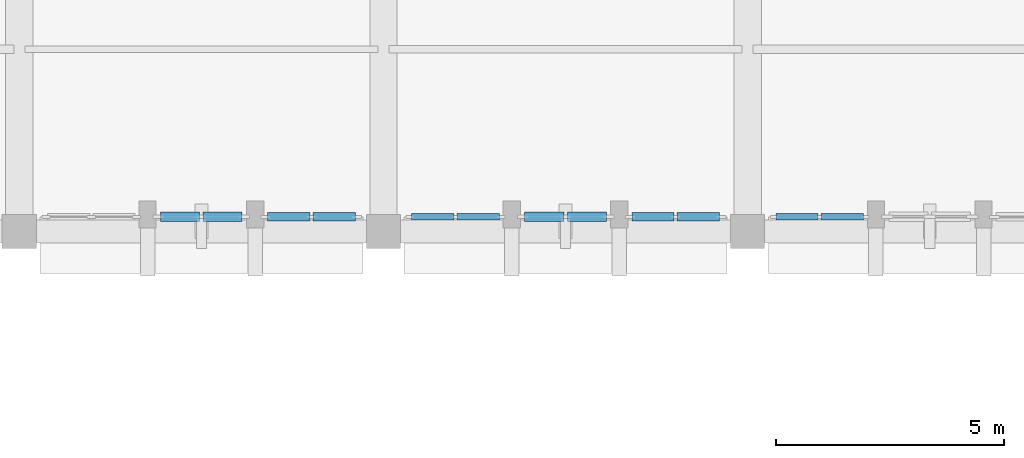
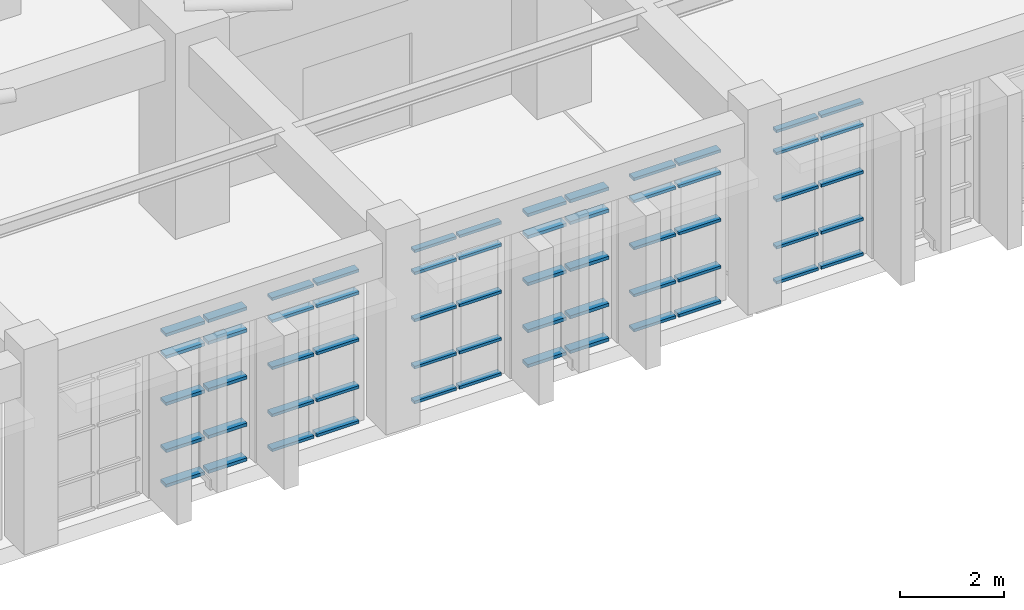
# One storey, part 59 of 155: 60 members, 6 elements without a shape of their own.
"""IFC4 building model written with IfcOpenShell, lengths in metres."""

from ifc_helpers import new_model, si_unit, direction, frame, origin, origin_2d, place, context, subcontext, project, spatial, rectangle, extrude, material, layer, layer_set, material_profile, profile_set, type_object, element, aggregate, save


model = new_model("IFC4")

# Units and contexts
model_context = context("Model", 3, precision=1e-05, world=origin(), true_north=direction((0.0, 1.0)))
body_context = subcontext(model_context, "Body", "Model", "MODEL_VIEW")
ifc_project = project(units=[si_unit("LENGTHUNIT", "METRE"), si_unit("AREAUNIT", "SQUARE_METRE"), si_unit("VOLUMEUNIT", "CUBIC_METRE"), si_unit("PLANEANGLEUNIT", "RADIAN"), si_unit("MASSUNIT", "GRAM", prefix="KILO")], contexts=[model_context])

# Site, building, storey
site_placement = place(None, origin())
site = spatial("IfcSite", under=ifc_project, at=site_placement, CompositionType="ELEMENT")
building_placement = place(site_placement, origin())
building = spatial("IfcBuilding", under=site, at=building_placement, Name="Tazarka Park Arena", CompositionType="ELEMENT")
storey_placement = place(building_placement, frame((0.0, 0.0, 5.39990234375)))
storey = spatial("IfcBuildingStorey", under=building, at=storey_placement, Name="L01", CompositionType="ELEMENT", Elevation=5.39990234375)

# Curtain wall, members
ifc_material_1 = material(Name="Aluminium and low-e glass", Category="aluminium")
ifc_layer_1 = layer(ifc_material_1, 0.179931640625, Name="Aluminium and low-e glass")
ifc_layer_set_1 = layer_set([ifc_layer_1], Name="Aluminium and low-e glass")
curtain_wall_type_1 = type_object("IfcCurtainWallType", Name="CW-15", PredefinedType="NOTDEFINED", material=ifc_layer_set_1)
curtain_wall_1_placement = place(storey_placement, origin())
curtain_wall_1 = element("IfcCurtainWall", 1, at=curtain_wall_1_placement, inside=storey, type_object=curtain_wall_type_1, Name="Curtain Wall CWA-L01-015", PredefinedType="NOTDEFINED")
ifc_material_2 = material(Name="Aluminium 6060-T66", Category="aluminium")
ifc_material_profile_1 = material_profile(ifc_material_2, rectangle(XDim=0.139892578125, YDim=0.06494140625, at=origin_2d()), Name="Aluminium 6060-T66")
ifc_profile_set_1 = profile_set([ifc_material_profile_1], Name="Aluminium 6060-T66")
member_type_1 = type_object("IfcMemberType", Name="CWT-01", PredefinedType="USERDEFINED", material=ifc_profile_set_1)
member_1_placement = place(storey_placement, frame((82.543212890625, 8.320068359375, 0.03271484375), z_axis=(-1.0, 0.0, 0.0), x_axis=(0.0, -1.0, 0.0)))
member_1 = element("IfcMember", 2, at=member_1_placement, type_object=member_type_1, Name="CW-15 transom 1.1", ObjectType="TRANSOM", PredefinedType="USERDEFINED", context=body_context, shape_type="SweptSolid", body=[
    extrude(rectangle(XDim=0.139892578125, YDim=0.06494140625, at=origin_2d()), origin(), (0.0, 0.0, 1.0), 0.928955078125),
])
member_2_placement = place(storey_placement, frame((82.543212890625, 8.320068359375, 0.85009765625), z_axis=(-1.0, 0.0, 0.0), x_axis=(0.0, -1.0, 0.0)))
member_2 = element("IfcMember", 3, at=member_2_placement, type_object=member_type_1, Name="CW-15 transom 1.2", ObjectType="TRANSOM", PredefinedType="USERDEFINED", context=body_context, shape_type="SweptSolid", body=[
    extrude(rectangle(XDim=0.139892578125, YDim=0.06494140625, at=origin_2d()), origin(), (0.0, 0.0, 1.0), 0.928955078125),
])
member_3_placement = place(storey_placement, frame((82.543212890625, 8.320068359375, 1.9501953125), z_axis=(-1.0, 0.0, 0.0), x_axis=(0.0, -1.0, 0.0)))
member_3 = element("IfcMember", 4, at=member_3_placement, type_object=member_type_1, Name="CW-15 transom 1.3", ObjectType="TRANSOM", PredefinedType="USERDEFINED", context=body_context, shape_type="SweptSolid", body=[
    extrude(rectangle(XDim=0.139892578125, YDim=0.06494140625, at=origin_2d()), origin(), (0.0, 0.0, 1.0), 0.928955078125),
])
member_4_placement = place(storey_placement, frame((82.543212890625, 8.320068359375, 3.050048828125), z_axis=(-1.0, 0.0, 0.0), x_axis=(0.0, -1.0, 0.0)))
member_4 = element("IfcMember", 5, at=member_4_placement, type_object=member_type_1, Name="CW-15 transom 1.4", ObjectType="TRANSOM", PredefinedType="USERDEFINED", context=body_context, shape_type="SweptSolid", body=[
    extrude(rectangle(XDim=0.139892578125, YDim=0.06494140625, at=origin_2d()), origin(), (0.0, 0.0, 1.0), 0.928955078125),
])
member_5_placement = place(storey_placement, frame((82.543212890625, 8.320068359375, 3.567626953125), z_axis=(-1.0, 0.0, 0.0), x_axis=(0.0, -1.0, 0.0)))
member_5 = element("IfcMember", 6, at=member_5_placement, type_object=member_type_1, Name="CW-15 transom 1.5", ObjectType="TRANSOM", PredefinedType="USERDEFINED", context=body_context, shape_type="SweptSolid", body=[
    extrude(rectangle(XDim=0.139892578125, YDim=0.06494140625, at=origin_2d()), origin(), (0.0, 0.0, 1.0), 0.928955078125),
])
member_6_placement = place(storey_placement, frame((81.549072265625, 8.320068359375, 0.03271484375), z_axis=(-1.0, 0.0, 0.0), x_axis=(0.0, -1.0, 0.0)))
member_6 = element("IfcMember", 7, at=member_6_placement, type_object=member_type_1, Name="CW-15 transom 2.1", ObjectType="TRANSOM", PredefinedType="USERDEFINED", context=body_context, shape_type="SweptSolid", body=[
    extrude(rectangle(XDim=0.139892578125, YDim=0.06494140625, at=origin_2d()), origin(), (0.0, 0.0, 1.0), 0.928955078125),
])
member_7_placement = place(storey_placement, frame((81.549072265625, 8.320068359375, 0.85009765625), z_axis=(-1.0, 0.0, 0.0), x_axis=(0.0, -1.0, 0.0)))
member_7 = element("IfcMember", 8, at=member_7_placement, type_object=member_type_1, Name="CW-15 transom 2.2", ObjectType="TRANSOM", PredefinedType="USERDEFINED", context=body_context, shape_type="SweptSolid", body=[
    extrude(rectangle(XDim=0.139892578125, YDim=0.06494140625, at=origin_2d()), origin(), (0.0, 0.0, 1.0), 0.928955078125),
])
member_8_placement = place(storey_placement, frame((81.549072265625, 8.320068359375, 1.9501953125), z_axis=(-1.0, 0.0, 0.0), x_axis=(0.0, -1.0, 0.0)))
member_8 = element("IfcMember", 9, at=member_8_placement, type_object=member_type_1, Name="CW-15 transom 2.3", ObjectType="TRANSOM", PredefinedType="USERDEFINED", context=body_context, shape_type="SweptSolid", body=[
    extrude(rectangle(XDim=0.139892578125, YDim=0.06494140625, at=origin_2d()), origin(), (0.0, 0.0, 1.0), 0.928955078125),
])
member_9_placement = place(storey_placement, frame((81.549072265625, 8.320068359375, 3.050048828125), z_axis=(-1.0, 0.0, 0.0), x_axis=(0.0, -1.0, 0.0)))
member_9 = element("IfcMember", 10, at=member_9_placement, type_object=member_type_1, Name="CW-15 transom 2.4", ObjectType="TRANSOM", PredefinedType="USERDEFINED", context=body_context, shape_type="SweptSolid", body=[
    extrude(rectangle(XDim=0.139892578125, YDim=0.06494140625, at=origin_2d()), origin(), (0.0, 0.0, 1.0), 0.928955078125),
])
member_10_placement = place(storey_placement, frame((81.549072265625, 8.320068359375, 3.567626953125), z_axis=(-1.0, 0.0, 0.0), x_axis=(0.0, -1.0, 0.0)))
member_10 = element("IfcMember", 11, at=member_10_placement, type_object=member_type_1, Name="CW-15 transom 2.5", ObjectType="TRANSOM", PredefinedType="USERDEFINED", context=body_context, shape_type="SweptSolid", body=[
    extrude(rectangle(XDim=0.139892578125, YDim=0.06494140625, at=origin_2d()), origin(), (0.0, 0.0, 1.0), 0.928955078125),
])
aggregate(curtain_wall_1, [member_1, member_2, member_3, member_4, member_5, member_6, member_7, member_8, member_9, member_10])

ifc_material_3 = material(Name="Aluminium and low-e glass", Category="aluminium")
ifc_layer_2 = layer(ifc_material_3, 0.179931640625, Name="Aluminium and low-e glass")
ifc_layer_set_2 = layer_set([ifc_layer_2], Name="Aluminium and low-e glass")
curtain_wall_type_2 = type_object("IfcCurtainWallType", Name="CW-18", PredefinedType="NOTDEFINED", material=ifc_layer_set_2)
curtain_wall_2_placement = place(storey_placement, origin())
curtain_wall_2 = element("IfcCurtainWall", 12, at=curtain_wall_2_placement, inside=storey, type_object=curtain_wall_type_2, Name="Curtain Wall CWA-L01-018", PredefinedType="NOTDEFINED")
member_11_placement = place(storey_placement, frame((90.543212890625, 8.320068359375, 0.03271484375), z_axis=(-1.0, 0.0, 0.0), x_axis=(0.0, -1.0, 0.0)))
member_11 = element("IfcMember", 13, at=member_11_placement, type_object=member_type_1, Name="CW-18 transom 1.1", ObjectType="TRANSOM", PredefinedType="USERDEFINED", context=body_context, shape_type="SweptSolid", body=[
    extrude(rectangle(XDim=0.139892578125, YDim=0.06494140625, at=origin_2d()), origin(), (0.0, 0.0, 1.0), 0.928955078125),
])
member_12_placement = place(storey_placement, frame((90.543212890625, 8.320068359375, 0.85009765625), z_axis=(-1.0, 0.0, 0.0), x_axis=(0.0, -1.0, 0.0)))
member_12 = element("IfcMember", 14, at=member_12_placement, type_object=member_type_1, Name="CW-18 transom 1.2", ObjectType="TRANSOM", PredefinedType="USERDEFINED", context=body_context, shape_type="SweptSolid", body=[
    extrude(rectangle(XDim=0.139892578125, YDim=0.06494140625, at=origin_2d()), origin(), (0.0, 0.0, 1.0), 0.928955078125),
])
member_13_placement = place(storey_placement, frame((90.543212890625, 8.320068359375, 1.9501953125), z_axis=(-1.0, 0.0, 0.0), x_axis=(0.0, -1.0, 0.0)))
member_13 = element("IfcMember", 15, at=member_13_placement, type_object=member_type_1, Name="CW-18 transom 1.3", ObjectType="TRANSOM", PredefinedType="USERDEFINED", context=body_context, shape_type="SweptSolid", body=[
    extrude(rectangle(XDim=0.139892578125, YDim=0.06494140625, at=origin_2d()), origin(), (0.0, 0.0, 1.0), 0.928955078125),
])
member_14_placement = place(storey_placement, frame((90.543212890625, 8.320068359375, 3.050048828125), z_axis=(-1.0, 0.0, 0.0), x_axis=(0.0, -1.0, 0.0)))
member_14 = element("IfcMember", 16, at=member_14_placement, type_object=member_type_1, Name="CW-18 transom 1.4", ObjectType="TRANSOM", PredefinedType="USERDEFINED", context=body_context, shape_type="SweptSolid", body=[
    extrude(rectangle(XDim=0.139892578125, YDim=0.06494140625, at=origin_2d()), origin(), (0.0, 0.0, 1.0), 0.928955078125),
])
member_15_placement = place(storey_placement, frame((90.543212890625, 8.320068359375, 3.567626953125), z_axis=(-1.0, 0.0, 0.0), x_axis=(0.0, -1.0, 0.0)))
member_15 = element("IfcMember", 17, at=member_15_placement, type_object=member_type_1, Name="CW-18 transom 1.5", ObjectType="TRANSOM", PredefinedType="USERDEFINED", context=body_context, shape_type="SweptSolid", body=[
    extrude(rectangle(XDim=0.139892578125, YDim=0.06494140625, at=origin_2d()), origin(), (0.0, 0.0, 1.0), 0.928955078125),
])
member_16_placement = place(storey_placement, frame((89.549072265625, 8.320068359375, 0.03271484375), z_axis=(-1.0, 0.0, 0.0), x_axis=(0.0, -1.0, 0.0)))
member_16 = element("IfcMember", 18, at=member_16_placement, type_object=member_type_1, Name="CW-18 transom 2.1", ObjectType="TRANSOM", PredefinedType="USERDEFINED", context=body_context, shape_type="SweptSolid", body=[
    extrude(rectangle(XDim=0.139892578125, YDim=0.06494140625, at=origin_2d()), origin(), (0.0, 0.0, 1.0), 0.928955078125),
])
member_17_placement = place(storey_placement, frame((89.549072265625, 8.320068359375, 0.85009765625), z_axis=(-1.0, 0.0, 0.0), x_axis=(0.0, -1.0, 0.0)))
member_17 = element("IfcMember", 19, at=member_17_placement, type_object=member_type_1, Name="CW-18 transom 2.2", ObjectType="TRANSOM", PredefinedType="USERDEFINED", context=body_context, shape_type="SweptSolid", body=[
    extrude(rectangle(XDim=0.139892578125, YDim=0.06494140625, at=origin_2d()), origin(), (0.0, 0.0, 1.0), 0.928955078125),
])
member_18_placement = place(storey_placement, frame((89.549072265625, 8.320068359375, 1.9501953125), z_axis=(-1.0, 0.0, 0.0), x_axis=(0.0, -1.0, 0.0)))
member_18 = element("IfcMember", 20, at=member_18_placement, type_object=member_type_1, Name="CW-18 transom 2.3", ObjectType="TRANSOM", PredefinedType="USERDEFINED", context=body_context, shape_type="SweptSolid", body=[
    extrude(rectangle(XDim=0.139892578125, YDim=0.06494140625, at=origin_2d()), origin(), (0.0, 0.0, 1.0), 0.928955078125),
])
member_19_placement = place(storey_placement, frame((89.549072265625, 8.320068359375, 3.050048828125), z_axis=(-1.0, 0.0, 0.0), x_axis=(0.0, -1.0, 0.0)))
member_19 = element("IfcMember", 21, at=member_19_placement, type_object=member_type_1, Name="CW-18 transom 2.4", ObjectType="TRANSOM", PredefinedType="USERDEFINED", context=body_context, shape_type="SweptSolid", body=[
    extrude(rectangle(XDim=0.139892578125, YDim=0.06494140625, at=origin_2d()), origin(), (0.0, 0.0, 1.0), 0.928955078125),
])
member_20_placement = place(storey_placement, frame((89.549072265625, 8.320068359375, 3.567626953125), z_axis=(-1.0, 0.0, 0.0), x_axis=(0.0, -1.0, 0.0)))
member_20 = element("IfcMember", 22, at=member_20_placement, type_object=member_type_1, Name="CW-18 transom 2.5", ObjectType="TRANSOM", PredefinedType="USERDEFINED", context=body_context, shape_type="SweptSolid", body=[
    extrude(rectangle(XDim=0.139892578125, YDim=0.06494140625, at=origin_2d()), origin(), (0.0, 0.0, 1.0), 0.928955078125),
])
aggregate(curtain_wall_2, [member_11, member_12, member_13, member_14, member_15, member_16, member_17, member_18, member_19, member_20])

ifc_material_4 = material(Name="Aluminium and low-e glass", Category="aluminium")
ifc_layer_3 = layer(ifc_material_4, 0.179931640625, Name="Aluminium and low-e glass")
ifc_layer_set_3 = layer_set([ifc_layer_3], Name="Aluminium and low-e glass")
curtain_wall_type_3 = type_object("IfcCurtainWallType", Name="CW-10", PredefinedType="NOTDEFINED", material=ifc_layer_set_3)
curtain_wall_3_placement = place(storey_placement, origin())
curtain_wall_3 = element("IfcCurtainWall", 23, at=curtain_wall_3_placement, inside=storey, type_object=curtain_wall_type_3, Name="Curtain Wall CWA-L01-010", PredefinedType="NOTDEFINED")
ifc_material_5 = material(Name="Aluminium 6060-T66", Category="aluminium")
ifc_material_profile_2 = material_profile(ifc_material_5, rectangle(XDim=0.179931640625, YDim=0.06494140625, at=origin_2d()), Name="Aluminium 6060-T66")
ifc_profile_set_2 = profile_set([ifc_material_profile_2], Name="Aluminium 6060-T66")
member_type_2 = type_object("IfcMemberType", Name="CWT-02", PredefinedType="USERDEFINED", material=ifc_profile_set_2)
member_21_placement = place(storey_placement, frame((79.3798828125, 8.320068359375, 0.03271484375), z_axis=(-1.0, 0.0, 0.0), x_axis=(0.0, -1.0, 0.0)))
member_21 = element("IfcMember", 24, at=member_21_placement, type_object=member_type_2, Name="CW-10 transom 1.1", ObjectType="TRANSOM", PredefinedType="USERDEFINED", context=body_context, shape_type="SweptSolid", body=[
    extrude(rectangle(XDim=0.179931640625, YDim=0.06494140625, at=origin_2d()), origin(), (0.0, 0.0, 1.0), 0.928955078125),
])
member_22_placement = place(storey_placement, frame((79.3798828125, 8.320068359375, 0.85009765625), z_axis=(-1.0, 0.0, 0.0), x_axis=(0.0, -1.0, 0.0)))
member_22 = element("IfcMember", 25, at=member_22_placement, type_object=member_type_2, Name="CW-10 transom 1.2", ObjectType="TRANSOM", PredefinedType="USERDEFINED", context=body_context, shape_type="SweptSolid", body=[
    extrude(rectangle(XDim=0.179931640625, YDim=0.06494140625, at=origin_2d()), origin(), (0.0, 0.0, 1.0), 0.928955078125),
])
member_23_placement = place(storey_placement, frame((79.3798828125, 8.320068359375, 1.9501953125), z_axis=(-1.0, 0.0, 0.0), x_axis=(0.0, -1.0, 0.0)))
member_23 = element("IfcMember", 26, at=member_23_placement, type_object=member_type_2, Name="CW-10 transom 1.3", ObjectType="TRANSOM", PredefinedType="USERDEFINED", context=body_context, shape_type="SweptSolid", body=[
    extrude(rectangle(XDim=0.179931640625, YDim=0.06494140625, at=origin_2d()), origin(), (0.0, 0.0, 1.0), 0.928955078125),
])
member_24_placement = place(storey_placement, frame((79.3798828125, 8.320068359375, 3.050048828125), z_axis=(-1.0, 0.0, 0.0), x_axis=(0.0, -1.0, 0.0)))
member_24 = element("IfcMember", 27, at=member_24_placement, type_object=member_type_2, Name="CW-10 transom 1.4", ObjectType="TRANSOM", PredefinedType="USERDEFINED", context=body_context, shape_type="SweptSolid", body=[
    extrude(rectangle(XDim=0.179931640625, YDim=0.06494140625, at=origin_2d()), origin(), (0.0, 0.0, 1.0), 0.928955078125),
])
member_25_placement = place(storey_placement, frame((79.3798828125, 8.320068359375, 3.567626953125), z_axis=(-1.0, 0.0, 0.0), x_axis=(0.0, -1.0, 0.0)))
member_25 = element("IfcMember", 28, at=member_25_placement, type_object=member_type_2, Name="CW-10 transom 1.5", ObjectType="TRANSOM", PredefinedType="USERDEFINED", context=body_context, shape_type="SweptSolid", body=[
    extrude(rectangle(XDim=0.179931640625, YDim=0.06494140625, at=origin_2d()), origin(), (0.0, 0.0, 1.0), 0.928955078125),
])
member_26_placement = place(storey_placement, frame((78.3857421875, 8.320068359375, 0.03271484375), z_axis=(-1.0, 0.0, 0.0), x_axis=(0.0, -1.0, 0.0)))
member_26 = element("IfcMember", 29, at=member_26_placement, type_object=member_type_2, Name="CW-10 transom 2.1", ObjectType="TRANSOM", PredefinedType="USERDEFINED", context=body_context, shape_type="SweptSolid", body=[
    extrude(rectangle(XDim=0.179931640625, YDim=0.06494140625, at=origin_2d()), origin(), (0.0, 0.0, 1.0), 0.928955078125),
])
member_27_placement = place(storey_placement, frame((78.3857421875, 8.320068359375, 0.85009765625), z_axis=(-1.0, 0.0, 0.0), x_axis=(0.0, -1.0, 0.0)))
member_27 = element("IfcMember", 30, at=member_27_placement, type_object=member_type_2, Name="CW-10 transom 2.2", ObjectType="TRANSOM", PredefinedType="USERDEFINED", context=body_context, shape_type="SweptSolid", body=[
    extrude(rectangle(XDim=0.179931640625, YDim=0.06494140625, at=origin_2d()), origin(), (0.0, 0.0, 1.0), 0.928955078125),
])
member_28_placement = place(storey_placement, frame((78.3857421875, 8.320068359375, 1.9501953125), z_axis=(-1.0, 0.0, 0.0), x_axis=(0.0, -1.0, 0.0)))
member_28 = element("IfcMember", 31, at=member_28_placement, type_object=member_type_2, Name="CW-10 transom 2.3", ObjectType="TRANSOM", PredefinedType="USERDEFINED", context=body_context, shape_type="SweptSolid", body=[
    extrude(rectangle(XDim=0.179931640625, YDim=0.06494140625, at=origin_2d()), origin(), (0.0, 0.0, 1.0), 0.928955078125),
])
member_29_placement = place(storey_placement, frame((78.3857421875, 8.320068359375, 3.050048828125), z_axis=(-1.0, 0.0, 0.0), x_axis=(0.0, -1.0, 0.0)))
member_29 = element("IfcMember", 32, at=member_29_placement, type_object=member_type_2, Name="CW-10 transom 2.4", ObjectType="TRANSOM", PredefinedType="USERDEFINED", context=body_context, shape_type="SweptSolid", body=[
    extrude(rectangle(XDim=0.179931640625, YDim=0.06494140625, at=origin_2d()), origin(), (0.0, 0.0, 1.0), 0.928955078125),
])
member_30_placement = place(storey_placement, frame((78.3857421875, 8.320068359375, 3.567626953125), z_axis=(-1.0, 0.0, 0.0), x_axis=(0.0, -1.0, 0.0)))
member_30 = element("IfcMember", 33, at=member_30_placement, type_object=member_type_2, Name="CW-10 transom 2.5", ObjectType="TRANSOM", PredefinedType="USERDEFINED", context=body_context, shape_type="SweptSolid", body=[
    extrude(rectangle(XDim=0.179931640625, YDim=0.06494140625, at=origin_2d()), origin(), (0.0, 0.0, 1.0), 0.928955078125),
])
aggregate(curtain_wall_3, [member_21, member_22, member_23, member_24, member_25, member_26, member_27, member_28, member_29, member_30])

ifc_material_6 = material(Name="Aluminium and low-e glass", Category="aluminium")
ifc_layer_4 = layer(ifc_material_6, 0.179931640625, Name="Aluminium and low-e glass")
ifc_layer_set_4 = layer_set([ifc_layer_4], Name="Aluminium and low-e glass")
curtain_wall_type_4 = type_object("IfcCurtainWallType", Name="CW-13", PredefinedType="NOTDEFINED", material=ifc_layer_set_4)
curtain_wall_4_placement = place(storey_placement, origin())
curtain_wall_4 = element("IfcCurtainWall", 34, at=curtain_wall_4_placement, inside=storey, type_object=curtain_wall_type_4, Name="Curtain Wall CWA-L01-013", PredefinedType="NOTDEFINED")
member_31_placement = place(storey_placement, frame((87.3798828125, 8.320068359375, 0.03271484375), z_axis=(-1.0, 0.0, 0.0), x_axis=(0.0, -1.0, 0.0)))
member_31 = element("IfcMember", 35, at=member_31_placement, type_object=member_type_2, Name="CW-13 transom 1.1", ObjectType="TRANSOM", PredefinedType="USERDEFINED", context=body_context, shape_type="SweptSolid", body=[
    extrude(rectangle(XDim=0.179931640625, YDim=0.06494140625, at=origin_2d()), origin(), (0.0, 0.0, 1.0), 0.928955078125),
])
member_32_placement = place(storey_placement, frame((87.3798828125, 8.320068359375, 0.85009765625), z_axis=(-1.0, 0.0, 0.0), x_axis=(0.0, -1.0, 0.0)))
member_32 = element("IfcMember", 36, at=member_32_placement, type_object=member_type_2, Name="CW-13 transom 1.2", ObjectType="TRANSOM", PredefinedType="USERDEFINED", context=body_context, shape_type="SweptSolid", body=[
    extrude(rectangle(XDim=0.179931640625, YDim=0.06494140625, at=origin_2d()), origin(), (0.0, 0.0, 1.0), 0.928955078125),
])
member_33_placement = place(storey_placement, frame((87.3798828125, 8.320068359375, 1.9501953125), z_axis=(-1.0, 0.0, 0.0), x_axis=(0.0, -1.0, 0.0)))
member_33 = element("IfcMember", 37, at=member_33_placement, type_object=member_type_2, Name="CW-13 transom 1.3", ObjectType="TRANSOM", PredefinedType="USERDEFINED", context=body_context, shape_type="SweptSolid", body=[
    extrude(rectangle(XDim=0.179931640625, YDim=0.06494140625, at=origin_2d()), origin(), (0.0, 0.0, 1.0), 0.928955078125),
])
member_34_placement = place(storey_placement, frame((87.3798828125, 8.320068359375, 3.050048828125), z_axis=(-1.0, 0.0, 0.0), x_axis=(0.0, -1.0, 0.0)))
member_34 = element("IfcMember", 38, at=member_34_placement, type_object=member_type_2, Name="CW-13 transom 1.4", ObjectType="TRANSOM", PredefinedType="USERDEFINED", context=body_context, shape_type="SweptSolid", body=[
    extrude(rectangle(XDim=0.179931640625, YDim=0.06494140625, at=origin_2d()), origin(), (0.0, 0.0, 1.0), 0.928955078125),
])
member_35_placement = place(storey_placement, frame((87.3798828125, 8.320068359375, 3.567626953125), z_axis=(-1.0, 0.0, 0.0), x_axis=(0.0, -1.0, 0.0)))
member_35 = element("IfcMember", 39, at=member_35_placement, type_object=member_type_2, Name="CW-13 transom 1.5", ObjectType="TRANSOM", PredefinedType="USERDEFINED", context=body_context, shape_type="SweptSolid", body=[
    extrude(rectangle(XDim=0.179931640625, YDim=0.06494140625, at=origin_2d()), origin(), (0.0, 0.0, 1.0), 0.928955078125),
])
member_36_placement = place(storey_placement, frame((86.3857421875, 8.320068359375, 0.03271484375), z_axis=(-1.0, 0.0, 0.0), x_axis=(0.0, -1.0, 0.0)))
member_36 = element("IfcMember", 40, at=member_36_placement, type_object=member_type_2, Name="CW-13 transom 2.1", ObjectType="TRANSOM", PredefinedType="USERDEFINED", context=body_context, shape_type="SweptSolid", body=[
    extrude(rectangle(XDim=0.179931640625, YDim=0.06494140625, at=origin_2d()), origin(), (0.0, 0.0, 1.0), 0.928955078125),
])
member_37_placement = place(storey_placement, frame((86.3857421875, 8.320068359375, 0.85009765625), z_axis=(-1.0, 0.0, 0.0), x_axis=(0.0, -1.0, 0.0)))
member_37 = element("IfcMember", 41, at=member_37_placement, type_object=member_type_2, Name="CW-13 transom 2.2", ObjectType="TRANSOM", PredefinedType="USERDEFINED", context=body_context, shape_type="SweptSolid", body=[
    extrude(rectangle(XDim=0.179931640625, YDim=0.06494140625, at=origin_2d()), origin(), (0.0, 0.0, 1.0), 0.928955078125),
])
member_38_placement = place(storey_placement, frame((86.3857421875, 8.320068359375, 1.9501953125), z_axis=(-1.0, 0.0, 0.0), x_axis=(0.0, -1.0, 0.0)))
member_38 = element("IfcMember", 42, at=member_38_placement, type_object=member_type_2, Name="CW-13 transom 2.3", ObjectType="TRANSOM", PredefinedType="USERDEFINED", context=body_context, shape_type="SweptSolid", body=[
    extrude(rectangle(XDim=0.179931640625, YDim=0.06494140625, at=origin_2d()), origin(), (0.0, 0.0, 1.0), 0.928955078125),
])
member_39_placement = place(storey_placement, frame((86.3857421875, 8.320068359375, 3.050048828125), z_axis=(-1.0, 0.0, 0.0), x_axis=(0.0, -1.0, 0.0)))
member_39 = element("IfcMember", 43, at=member_39_placement, type_object=member_type_2, Name="CW-13 transom 2.4", ObjectType="TRANSOM", PredefinedType="USERDEFINED", context=body_context, shape_type="SweptSolid", body=[
    extrude(rectangle(XDim=0.179931640625, YDim=0.06494140625, at=origin_2d()), origin(), (0.0, 0.0, 1.0), 0.928955078125),
])
member_40_placement = place(storey_placement, frame((86.3857421875, 8.320068359375, 3.567626953125), z_axis=(-1.0, 0.0, 0.0), x_axis=(0.0, -1.0, 0.0)))
member_40 = element("IfcMember", 44, at=member_40_placement, type_object=member_type_2, Name="CW-13 transom 2.5", ObjectType="TRANSOM", PredefinedType="USERDEFINED", context=body_context, shape_type="SweptSolid", body=[
    extrude(rectangle(XDim=0.179931640625, YDim=0.06494140625, at=origin_2d()), origin(), (0.0, 0.0, 1.0), 0.928955078125),
])
aggregate(curtain_wall_4, [member_31, member_32, member_33, member_34, member_35, member_36, member_37, member_38, member_39, member_40])

ifc_material_7 = material(Name="Aluminium and low-e glass", Category="aluminium")
ifc_layer_5 = layer(ifc_material_7, 0.179931640625, Name="Aluminium and low-e glass")
ifc_layer_set_5 = layer_set([ifc_layer_5], Name="Aluminium and low-e glass")
curtain_wall_type_5 = type_object("IfcCurtainWallType", Name="CW-11", PredefinedType="NOTDEFINED", material=ifc_layer_set_5)
curtain_wall_5_placement = place(storey_placement, origin())
curtain_wall_5 = element("IfcCurtainWall", 45, at=curtain_wall_5_placement, inside=storey, type_object=curtain_wall_type_5, Name="Curtain Wall CWA-L01-011", PredefinedType="NOTDEFINED")
ifc_material_8 = material(Name="Aluminium 6060-T66", Category="aluminium")
ifc_material_profile_3 = material_profile(ifc_material_8, rectangle(XDim=0.2099609375, YDim=0.074951171875, at=origin_2d()), Name="Aluminium 6060-T66")
ifc_profile_set_3 = profile_set([ifc_material_profile_3], Name="Aluminium 6060-T66")
member_type_3 = type_object("IfcMemberType", Name="CWT-03", PredefinedType="USERDEFINED", material=ifc_profile_set_3)
member_41_placement = place(storey_placement, frame((76.896728515625, 8.320068359375, 0.03759765625), z_axis=(-1.0, 0.0, 0.0), x_axis=(0.0, -1.0, 0.0)))
member_41 = element("IfcMember", 46, at=member_41_placement, type_object=member_type_3, Name="CW-11 transom 1.1", ObjectType="TRANSOM", PredefinedType="USERDEFINED", context=body_context, shape_type="SweptSolid", body=[
    extrude(rectangle(XDim=0.2099609375, YDim=0.074951171875, at=origin_2d()), origin(), (0.0, 0.0, 1.0), 0.859130859375),
])
member_42_placement = place(storey_placement, frame((76.896728515625, 8.320068359375, 0.85009765625), z_axis=(-1.0, 0.0, 0.0), x_axis=(0.0, -1.0, 0.0)))
member_42 = element("IfcMember", 47, at=member_42_placement, type_object=member_type_3, Name="CW-11 transom 1.2", ObjectType="TRANSOM", PredefinedType="USERDEFINED", context=body_context, shape_type="SweptSolid", body=[
    extrude(rectangle(XDim=0.2099609375, YDim=0.074951171875, at=origin_2d()), origin(), (0.0, 0.0, 1.0), 0.859130859375),
])
member_43_placement = place(storey_placement, frame((76.896728515625, 8.320068359375, 1.9501953125), z_axis=(-1.0, 0.0, 0.0), x_axis=(0.0, -1.0, 0.0)))
member_43 = element("IfcMember", 48, at=member_43_placement, type_object=member_type_3, Name="CW-11 transom 1.3", ObjectType="TRANSOM", PredefinedType="USERDEFINED", context=body_context, shape_type="SweptSolid", body=[
    extrude(rectangle(XDim=0.2099609375, YDim=0.074951171875, at=origin_2d()), origin(), (0.0, 0.0, 1.0), 0.859130859375),
])
member_44_placement = place(storey_placement, frame((76.896728515625, 8.320068359375, 3.050048828125), z_axis=(-1.0, 0.0, 0.0), x_axis=(0.0, -1.0, 0.0)))
member_44 = element("IfcMember", 49, at=member_44_placement, type_object=member_type_3, Name="CW-11 transom 1.4", ObjectType="TRANSOM", PredefinedType="USERDEFINED", context=body_context, shape_type="SweptSolid", body=[
    extrude(rectangle(XDim=0.2099609375, YDim=0.074951171875, at=origin_2d()), origin(), (0.0, 0.0, 1.0), 0.859130859375),
])
member_45_placement = place(storey_placement, frame((76.896728515625, 8.320068359375, 3.5625), z_axis=(-1.0, 0.0, 0.0), x_axis=(0.0, -1.0, 0.0)))
member_45 = element("IfcMember", 50, at=member_45_placement, type_object=member_type_3, Name="CW-11 transom 1.5", ObjectType="TRANSOM", PredefinedType="USERDEFINED", context=body_context, shape_type="SweptSolid", body=[
    extrude(rectangle(XDim=0.2099609375, YDim=0.074951171875, at=origin_2d()), origin(), (0.0, 0.0, 1.0), 0.859130859375),
])
member_46_placement = place(storey_placement, frame((75.96240234375, 8.320068359375, 0.03759765625), z_axis=(-1.0, 0.0, 0.0), x_axis=(0.0, -1.0, 0.0)))
member_46 = element("IfcMember", 51, at=member_46_placement, type_object=member_type_3, Name="CW-11 transom 2.1", ObjectType="TRANSOM", PredefinedType="USERDEFINED", context=body_context, shape_type="SweptSolid", body=[
    extrude(rectangle(XDim=0.2099609375, YDim=0.074951171875, at=origin_2d()), origin(), (0.0, 0.0, 1.0), 0.859130859375),
])
member_47_placement = place(storey_placement, frame((75.96240234375, 8.320068359375, 0.85009765625), z_axis=(-1.0, 0.0, 0.0), x_axis=(0.0, -1.0, 0.0)))
member_47 = element("IfcMember", 52, at=member_47_placement, type_object=member_type_3, Name="CW-11 transom 2.2", ObjectType="TRANSOM", PredefinedType="USERDEFINED", context=body_context, shape_type="SweptSolid", body=[
    extrude(rectangle(XDim=0.2099609375, YDim=0.074951171875, at=origin_2d()), origin(), (0.0, 0.0, 1.0), 0.859130859375),
])
member_48_placement = place(storey_placement, frame((75.96240234375, 8.320068359375, 1.9501953125), z_axis=(-1.0, 0.0, 0.0), x_axis=(0.0, -1.0, 0.0)))
member_48 = element("IfcMember", 53, at=member_48_placement, type_object=member_type_3, Name="CW-11 transom 2.3", ObjectType="TRANSOM", PredefinedType="USERDEFINED", context=body_context, shape_type="SweptSolid", body=[
    extrude(rectangle(XDim=0.2099609375, YDim=0.074951171875, at=origin_2d()), origin(), (0.0, 0.0, 1.0), 0.859130859375),
])
member_49_placement = place(storey_placement, frame((75.96240234375, 8.320068359375, 3.050048828125), z_axis=(-1.0, 0.0, 0.0), x_axis=(0.0, -1.0, 0.0)))
member_49 = element("IfcMember", 54, at=member_49_placement, type_object=member_type_3, Name="CW-11 transom 2.4", ObjectType="TRANSOM", PredefinedType="USERDEFINED", context=body_context, shape_type="SweptSolid", body=[
    extrude(rectangle(XDim=0.2099609375, YDim=0.074951171875, at=origin_2d()), origin(), (0.0, 0.0, 1.0), 0.859130859375),
])
member_50_placement = place(storey_placement, frame((75.96240234375, 8.320068359375, 3.5625), z_axis=(-1.0, 0.0, 0.0), x_axis=(0.0, -1.0, 0.0)))
member_50 = element("IfcMember", 55, at=member_50_placement, type_object=member_type_3, Name="CW-11 transom 2.5", ObjectType="TRANSOM", PredefinedType="USERDEFINED", context=body_context, shape_type="SweptSolid", body=[
    extrude(rectangle(XDim=0.2099609375, YDim=0.074951171875, at=origin_2d()), origin(), (0.0, 0.0, 1.0), 0.859130859375),
])
aggregate(curtain_wall_5, [member_41, member_42, member_43, member_44, member_45, member_46, member_47, member_48, member_49, member_50])

ifc_material_9 = material(Name="Aluminium and low-e glass", Category="aluminium")
ifc_layer_6 = layer(ifc_material_9, 0.179931640625, Name="Aluminium and low-e glass")
ifc_layer_set_6 = layer_set([ifc_layer_6], Name="Aluminium and low-e glass")
curtain_wall_type_6 = type_object("IfcCurtainWallType", Name="CW-14", PredefinedType="NOTDEFINED", material=ifc_layer_set_6)
curtain_wall_6_placement = place(storey_placement, origin())
curtain_wall_6 = element("IfcCurtainWall", 56, at=curtain_wall_6_placement, inside=storey, type_object=curtain_wall_type_6, Name="Curtain Wall CWA-L01-014", PredefinedType="NOTDEFINED")
member_51_placement = place(storey_placement, frame((84.896728515625, 8.320068359375, 0.03759765625), z_axis=(-1.0, 0.0, 0.0), x_axis=(0.0, -1.0, 0.0)))
member_51 = element("IfcMember", 57, at=member_51_placement, type_object=member_type_3, Name="CW-14 transom 1.1", ObjectType="TRANSOM", PredefinedType="USERDEFINED", context=body_context, shape_type="SweptSolid", body=[
    extrude(rectangle(XDim=0.2099609375, YDim=0.074951171875, at=origin_2d()), origin(), (0.0, 0.0, 1.0), 0.859130859375),
])
member_52_placement = place(storey_placement, frame((84.896728515625, 8.320068359375, 0.85009765625), z_axis=(-1.0, 0.0, 0.0), x_axis=(0.0, -1.0, 0.0)))
member_52 = element("IfcMember", 58, at=member_52_placement, type_object=member_type_3, Name="CW-14 transom 1.2", ObjectType="TRANSOM", PredefinedType="USERDEFINED", context=body_context, shape_type="SweptSolid", body=[
    extrude(rectangle(XDim=0.2099609375, YDim=0.074951171875, at=origin_2d()), origin(), (0.0, 0.0, 1.0), 0.859130859375),
])
member_53_placement = place(storey_placement, frame((84.896728515625, 8.320068359375, 1.9501953125), z_axis=(-1.0, 0.0, 0.0), x_axis=(0.0, -1.0, 0.0)))
member_53 = element("IfcMember", 59, at=member_53_placement, type_object=member_type_3, Name="CW-14 transom 1.3", ObjectType="TRANSOM", PredefinedType="USERDEFINED", context=body_context, shape_type="SweptSolid", body=[
    extrude(rectangle(XDim=0.2099609375, YDim=0.074951171875, at=origin_2d()), origin(), (0.0, 0.0, 1.0), 0.859130859375),
])
member_54_placement = place(storey_placement, frame((84.896728515625, 8.320068359375, 3.050048828125), z_axis=(-1.0, 0.0, 0.0), x_axis=(0.0, -1.0, 0.0)))
member_54 = element("IfcMember", 60, at=member_54_placement, type_object=member_type_3, Name="CW-14 transom 1.4", ObjectType="TRANSOM", PredefinedType="USERDEFINED", context=body_context, shape_type="SweptSolid", body=[
    extrude(rectangle(XDim=0.2099609375, YDim=0.074951171875, at=origin_2d()), origin(), (0.0, 0.0, 1.0), 0.859130859375),
])
member_55_placement = place(storey_placement, frame((84.896728515625, 8.320068359375, 3.5625), z_axis=(-1.0, 0.0, 0.0), x_axis=(0.0, -1.0, 0.0)))
member_55 = element("IfcMember", 61, at=member_55_placement, type_object=member_type_3, Name="CW-14 transom 1.5", ObjectType="TRANSOM", PredefinedType="USERDEFINED", context=body_context, shape_type="SweptSolid", body=[
    extrude(rectangle(XDim=0.2099609375, YDim=0.074951171875, at=origin_2d()), origin(), (0.0, 0.0, 1.0), 0.859130859375),
])
member_56_placement = place(storey_placement, frame((83.96240234375, 8.320068359375, 0.03759765625), z_axis=(-1.0, 0.0, 0.0), x_axis=(0.0, -1.0, 0.0)))
member_56 = element("IfcMember", 62, at=member_56_placement, type_object=member_type_3, Name="CW-14 transom 2.1", ObjectType="TRANSOM", PredefinedType="USERDEFINED", context=body_context, shape_type="SweptSolid", body=[
    extrude(rectangle(XDim=0.2099609375, YDim=0.074951171875, at=origin_2d()), origin(), (0.0, 0.0, 1.0), 0.859130859375),
])
member_57_placement = place(storey_placement, frame((83.96240234375, 8.320068359375, 0.85009765625), z_axis=(-1.0, 0.0, 0.0), x_axis=(0.0, -1.0, 0.0)))
member_57 = element("IfcMember", 63, at=member_57_placement, type_object=member_type_3, Name="CW-14 transom 2.2", ObjectType="TRANSOM", PredefinedType="USERDEFINED", context=body_context, shape_type="SweptSolid", body=[
    extrude(rectangle(XDim=0.2099609375, YDim=0.074951171875, at=origin_2d()), origin(), (0.0, 0.0, 1.0), 0.859130859375),
])
member_58_placement = place(storey_placement, frame((83.96240234375, 8.320068359375, 1.9501953125), z_axis=(-1.0, 0.0, 0.0), x_axis=(0.0, -1.0, 0.0)))
member_58 = element("IfcMember", 64, at=member_58_placement, type_object=member_type_3, Name="CW-14 transom 2.3", ObjectType="TRANSOM", PredefinedType="USERDEFINED", context=body_context, shape_type="SweptSolid", body=[
    extrude(rectangle(XDim=0.2099609375, YDim=0.074951171875, at=origin_2d()), origin(), (0.0, 0.0, 1.0), 0.859130859375),
])
member_59_placement = place(storey_placement, frame((83.96240234375, 8.320068359375, 3.050048828125), z_axis=(-1.0, 0.0, 0.0), x_axis=(0.0, -1.0, 0.0)))
member_59 = element("IfcMember", 65, at=member_59_placement, type_object=member_type_3, Name="CW-14 transom 2.4", ObjectType="TRANSOM", PredefinedType="USERDEFINED", context=body_context, shape_type="SweptSolid", body=[
    extrude(rectangle(XDim=0.2099609375, YDim=0.074951171875, at=origin_2d()), origin(), (0.0, 0.0, 1.0), 0.859130859375),
])
member_60_placement = place(storey_placement, frame((83.96240234375, 8.320068359375, 3.5625), z_axis=(-1.0, 0.0, 0.0), x_axis=(0.0, -1.0, 0.0)))
member_60 = element("IfcMember", 66, at=member_60_placement, type_object=member_type_3, Name="CW-14 transom 2.5", ObjectType="TRANSOM", PredefinedType="USERDEFINED", context=body_context, shape_type="SweptSolid", body=[
    extrude(rectangle(XDim=0.2099609375, YDim=0.074951171875, at=origin_2d()), origin(), (0.0, 0.0, 1.0), 0.859130859375),
])
aggregate(curtain_wall_6, [member_51, member_52, member_53, member_54, member_55, member_56, member_57, member_58, member_59, member_60])

save(model, "model.ifc")
